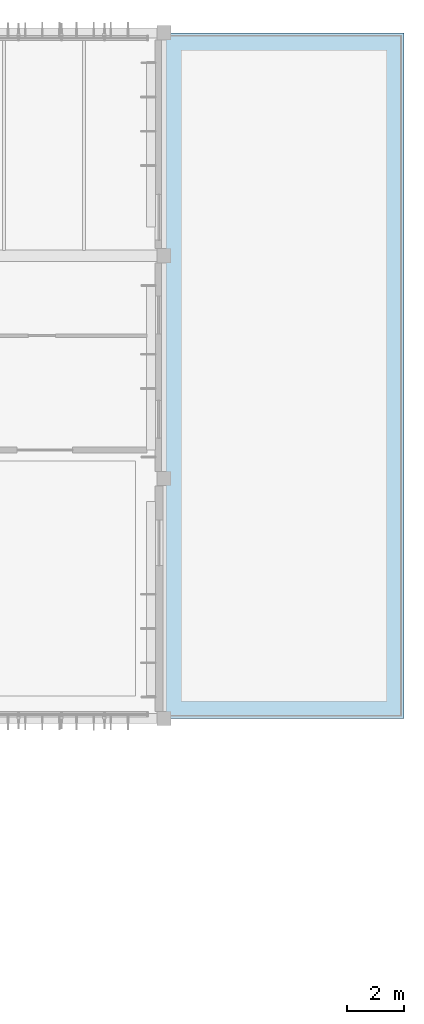
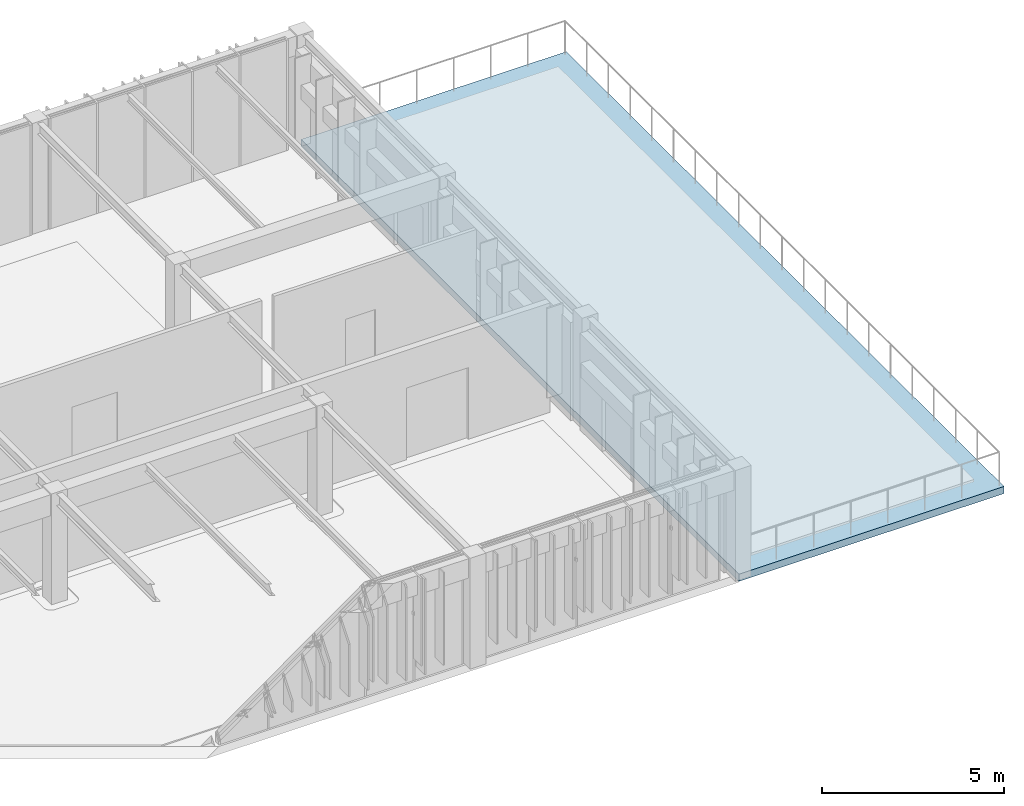
# One storey, part 16 of 44: 1 slab.
"""IFC4 building model written with IfcOpenShell, lengths in metres."""

from ifc_helpers import new_model, si_unit, direction, frame, origin, place, context, subcontext, project, spatial, polyline, outline, extrude, material, layer, layer_set, type_object, element, save


model = new_model("IFC4")

# Units and contexts
model_context = context("Model", 3, precision=1e-05, world=origin(), true_north=direction((0.0, 1.0)))
body_context = subcontext(model_context, "Body", "Model", "MODEL_VIEW")
ifc_project = project(units=[si_unit("LENGTHUNIT", "METRE"), si_unit("AREAUNIT", "SQUARE_METRE"), si_unit("VOLUMEUNIT", "CUBIC_METRE"), si_unit("PLANEANGLEUNIT", "RADIAN"), si_unit("MASSUNIT", "GRAM", prefix="KILO")], contexts=[model_context])

# Site, building, storey
site_placement = place(None, origin())
site = spatial("IfcSite", under=ifc_project, at=site_placement, CompositionType="ELEMENT")
building_placement = place(site_placement, origin())
building = spatial("IfcBuilding", under=site, at=building_placement, Name="Tazoul Stagehouse", CompositionType="ELEMENT")
storey_placement = place(building_placement, frame((0.0, 0.0, 13.199951171875)))
storey = spatial("IfcBuildingStorey", under=building, at=storey_placement, Name="L03", CompositionType="ELEMENT", Elevation=13.199951171875)

# Slab
ifc_material = material(Name="Concrete C35/45", Category="concrete")
ifc_layer = layer(ifc_material, 0.239990234375, Name="Concrete C35/45")
ifc_layer_set = layer_set([ifc_layer], Name="Concrete C35/45")
slab_type = type_object("IfcSlabType", Name="Planted Terrace Slab 240", PredefinedType="FLOOR", material=ifc_layer_set)
slab_placement = place(storey_placement, frame((0.0, 0.0, -0.239990234375)))
element("IfcSlab", 1, at=slab_placement, inside=storey, type_object=slab_type, Name="L03 Planted Terrace Slab 240 (V3)", PredefinedType="FLOOR", context=body_context, shape_type="SweptSolid", body=[
    extrude(outline(polyline([(142.2041015625, 87.800048828125), (142.2041015625, 111.800048828125), (150.60009765625, 111.800048828125), (150.60009765625, 87.800048828125), (142.2041015625, 87.800048828125)])), origin(), (0.0, 0.0, 1.0), 0.239990234375),
])

save(model, "model.ifc")
